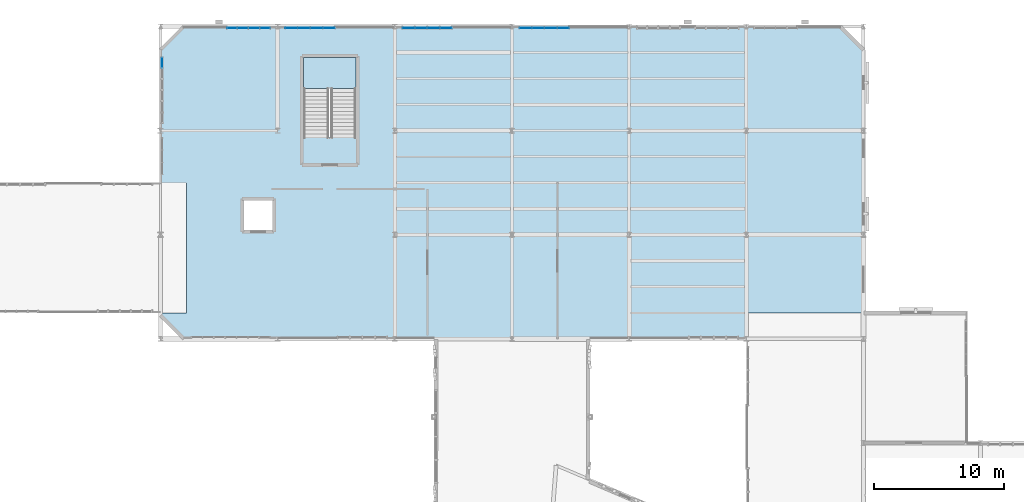
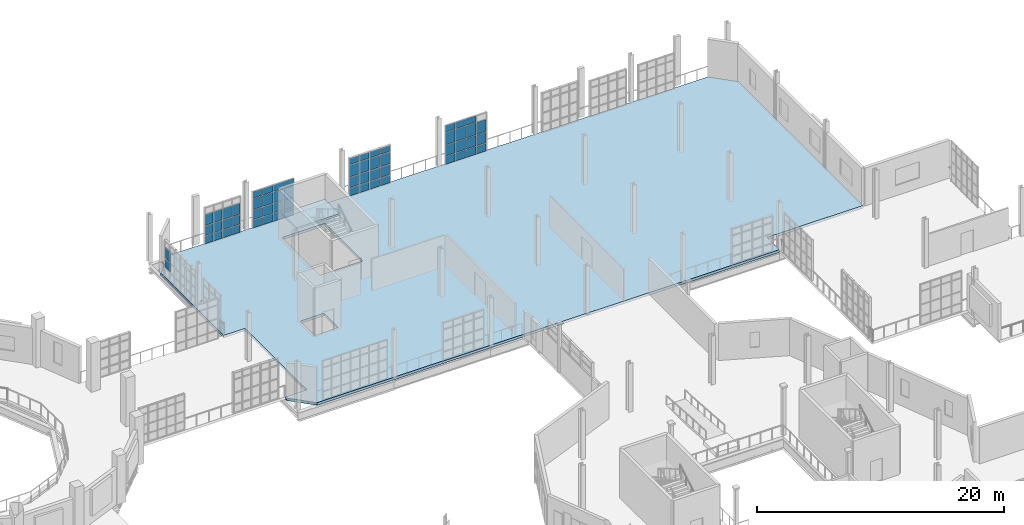
# One storey, part 89 of 122: 61 plates, 2 slabs, 6 elements without a shape of their own.
"""IFC4 building model written with IfcOpenShell, lengths in metres."""

from ifc_helpers import new_model, si_unit, direction, frame, origin, origin_2d, place, context, subcontext, project, spatial, polyline, rectangle, outline, extrude, material, layer, layer_set, type_object, element, aggregate, save


model = new_model("IFC4")

# Units and contexts
model_context = context("Model", 3, precision=1e-05, world=origin(), true_north=direction((0.0, 1.0)))
body_context = subcontext(model_context, "Body", "Model", "MODEL_VIEW")
ifc_project = project(units=[si_unit("LENGTHUNIT", "METRE"), si_unit("AREAUNIT", "SQUARE_METRE"), si_unit("VOLUMEUNIT", "CUBIC_METRE"), si_unit("PLANEANGLEUNIT", "RADIAN"), si_unit("MASSUNIT", "GRAM", prefix="KILO"), si_unit("THERMODYNAMICTEMPERATUREUNIT", "KELVIN"), si_unit("POWERUNIT", "WATT")], contexts=[model_context])

# Site, building, storey
site_placement = place(None, origin())
site = spatial("IfcSite", under=ifc_project, at=site_placement, CompositionType="ELEMENT")
building_placement = place(site_placement, origin())
building = spatial("IfcBuilding", under=site, at=building_placement, Name="Zelmaris Science Centre", CompositionType="ELEMENT")
storey_placement = place(building_placement, frame((0.0, 0.0, 10.800048828125)))
storey = spatial("IfcBuildingStorey", under=building, at=storey_placement, Name="L02", CompositionType="ELEMENT", Elevation=10.800048828125)

# Curtain wall, plates
ifc_material_1 = material(Name="Anodised architectural aluminium 6063-T6", Category="aluminium")
ifc_layer_1 = layer(ifc_material_1, 0.18994140625, Name="Anodised architectural aluminium 6063-T6")
ifc_layer_set_1 = layer_set([ifc_layer_1], Name="Anodised architectural aluminium 6063-T6")
curtain_wall_type_1 = type_object("IfcCurtainWallType", Name="Curtain Wall CW-01", PredefinedType="USERDEFINED", material=ifc_layer_set_1)
curtain_wall_1_placement = place(storey_placement, origin())
curtain_wall_1 = element("IfcCurtainWall", 1, at=curtain_wall_1_placement, inside=storey, type_object=curtain_wall_type_1, Name="L02 Unitised curtain wall 205", ObjectType="GLAZED CURTAIN WALL", PredefinedType="USERDEFINED")
ifc_material_2 = material(Name="Laminated hurricane-rated low-E insulated glazing", Category="glass")
ifc_layer_2 = layer(ifc_material_2, 0.031982421875, Name="Laminated hurricane-rated low-E insulated glazing")
ifc_layer_set_2 = layer_set([ifc_layer_2], Name="Laminated hurricane-rated low-E insulated glazing")
plate_type_1 = type_object("IfcPlateType", Name="Curtain Glazing Panel CWP-1 32mm", PredefinedType="CURTAIN_PANEL", material=ifc_layer_set_2)
plate_1_placement = place(storey_placement, frame((54.1201171875, 85.21533203125, 0.87109375), z_axis=(0.0, 0.0, 1.0), x_axis=(1.9531247e-05, 0.999999999809, 0.0)))
plate_1 = element("IfcPlate", 2, at=plate_1_placement, type_object=plate_type_1, Name="CW-01 panel 6.2", PredefinedType="CURTAIN_PANEL", context=body_context, shape_type="SweptSolid", body=[
    extrude(rectangle(XDim=0.745361328125, YDim=0.031982421875, at=origin_2d()), origin(), (0.0, 0.0, 1.0), 0.881103515625),
])
plate_2_placement = place(storey_placement, frame((54.1201171875, 85.21533203125, 1.82373046875), z_axis=(0.0, 0.0, 1.0), x_axis=(1.9531247e-05, 0.999999999809, 0.0)))
plate_2 = element("IfcPlate", 3, at=plate_2_placement, type_object=plate_type_1, Name="CW-01 panel 6.3", PredefinedType="CURTAIN_PANEL", context=body_context, shape_type="SweptSolid", body=[
    extrude(rectangle(XDim=0.745361328125, YDim=0.031982421875, at=origin_2d()), origin(), (0.0, 0.0, 1.0), 1.031005859375),
])
aggregate(curtain_wall_1, [plate_1, plate_2])

curtain_wall_2_placement = place(storey_placement, origin())
curtain_wall_2 = element("IfcCurtainWall", 4, at=curtain_wall_2_placement, inside=storey, type_object=curtain_wall_type_1, Name="L02 Unitised curtain wall 209", ObjectType="GLAZED CURTAIN WALL", PredefinedType="USERDEFINED")
plate_3_placement = place(storey_placement, frame((73.04541015625, 87.8798828125, 0.05712890625), z_axis=(0.0, 0.0, 1.0), x_axis=(1.0, 0.0, 0.0)))
plate_3 = element("IfcPlate", 5, at=plate_3_placement, type_object=plate_type_1, Name="CW-01 panel 1.1", PredefinedType="CURTAIN_PANEL", context=body_context, shape_type="SweptSolid", body=[
    extrude(rectangle(XDim=0.866943359375, YDim=0.031982421875, at=origin_2d()), origin(), (0.0, 0.0, 1.0), 0.741943359375),
])
plate_4_placement = place(storey_placement, frame((73.04541015625, 87.8798828125, 0.87109375), z_axis=(0.0, 0.0, 1.0), x_axis=(1.0, 0.0, 0.0)))
plate_4 = element("IfcPlate", 6, at=plate_4_placement, type_object=plate_type_1, Name="CW-01 panel 1.2", PredefinedType="CURTAIN_PANEL", context=body_context, shape_type="SweptSolid", body=[
    extrude(rectangle(XDim=0.866943359375, YDim=0.031982421875, at=origin_2d()), origin(), (0.0, 0.0, 1.0), 0.991455078125),
])
plate_5_placement = place(storey_placement, frame((73.04541015625, 87.8798828125, 1.934326171875), z_axis=(0.0, 0.0, 1.0), x_axis=(1.0, 0.0, 0.0)))
plate_5 = element("IfcPlate", 7, at=plate_5_placement, type_object=plate_type_1, Name="CW-01 panel 1.3", PredefinedType="CURTAIN_PANEL", context=body_context, shape_type="SweptSolid", body=[
    extrude(rectangle(XDim=0.866943359375, YDim=0.031982421875, at=origin_2d()), origin(), (0.0, 0.0, 1.0), 1.1416015625),
])
plate_6_placement = place(storey_placement, frame((73.04541015625, 87.8798828125, 3.14794921875), z_axis=(0.0, 0.0, 1.0), x_axis=(1.0, 0.0, 0.0)))
plate_6 = element("IfcPlate", 8, at=plate_6_placement, type_object=plate_type_1, Name="CW-01 panel 1.4", PredefinedType="CURTAIN_PANEL", context=body_context, shape_type="SweptSolid", body=[
    extrude(rectangle(XDim=0.866943359375, YDim=0.031982421875, at=origin_2d()), origin(), (0.0, 0.0, 1.0), 0.592041015625),
])
plate_7_placement = place(storey_placement, frame((74.00244140625, 87.8798828125, 0.05712890625), z_axis=(0.0, 0.0, 1.0), x_axis=(1.0, 0.0, 0.0)))
plate_7 = element("IfcPlate", 9, at=plate_7_placement, type_object=plate_type_1, Name="CW-01 panel 2.1", PredefinedType="CURTAIN_PANEL", context=body_context, shape_type="SweptSolid", body=[
    extrude(rectangle(XDim=0.903076171875, YDim=0.031982421875, at=origin_2d()), origin(), (0.0, 0.0, 1.0), 0.741943359375),
])
plate_8_placement = place(storey_placement, frame((74.00244140625, 87.8798828125, 0.87109375), z_axis=(0.0, 0.0, 1.0), x_axis=(1.0, 0.0, 0.0)))
plate_8 = element("IfcPlate", 10, at=plate_8_placement, type_object=plate_type_1, Name="CW-01 panel 2.2", PredefinedType="CURTAIN_PANEL", context=body_context, shape_type="SweptSolid", body=[
    extrude(rectangle(XDim=0.903076171875, YDim=0.031982421875, at=origin_2d()), origin(), (0.0, 0.0, 1.0), 0.991455078125),
])
plate_9_placement = place(storey_placement, frame((74.00244140625, 87.8798828125, 1.934326171875), z_axis=(0.0, 0.0, 1.0), x_axis=(1.0, 0.0, 0.0)))
plate_9 = element("IfcPlate", 11, at=plate_9_placement, type_object=plate_type_1, Name="CW-01 panel 2.3", PredefinedType="CURTAIN_PANEL", context=body_context, shape_type="SweptSolid", body=[
    extrude(rectangle(XDim=0.903076171875, YDim=0.031982421875, at=origin_2d()), origin(), (0.0, 0.0, 1.0), 1.1416015625),
])
plate_10_placement = place(storey_placement, frame((74.00244140625, 87.8798828125, 3.14794921875), z_axis=(0.0, 0.0, 1.0), x_axis=(1.0, 0.0, 0.0)))
plate_10 = element("IfcPlate", 12, at=plate_10_placement, type_object=plate_type_1, Name="CW-01 panel 2.4", PredefinedType="CURTAIN_PANEL", context=body_context, shape_type="SweptSolid", body=[
    extrude(rectangle(XDim=0.903076171875, YDim=0.031982421875, at=origin_2d()), origin(), (0.0, 0.0, 1.0), 0.592041015625),
])
plate_11_placement = place(storey_placement, frame((74.9775390625, 87.8798828125, 0.05712890625), z_axis=(0.0, 0.0, 1.0), x_axis=(1.0, 0.0, 0.0)))
plate_11 = element("IfcPlate", 13, at=plate_11_placement, type_object=plate_type_1, Name="CW-01 panel 3.1", PredefinedType="CURTAIN_PANEL", context=body_context, shape_type="SweptSolid", body=[
    extrude(rectangle(XDim=0.903076171875, YDim=0.031982421875, at=origin_2d()), origin(), (0.0, 0.0, 1.0), 0.741943359375),
])
plate_12_placement = place(storey_placement, frame((74.9775390625, 87.8798828125, 0.87109375), z_axis=(0.0, 0.0, 1.0), x_axis=(1.0, 0.0, 0.0)))
plate_12 = element("IfcPlate", 14, at=plate_12_placement, type_object=plate_type_1, Name="CW-01 panel 3.2", PredefinedType="CURTAIN_PANEL", context=body_context, shape_type="SweptSolid", body=[
    extrude(rectangle(XDim=0.903076171875, YDim=0.031982421875, at=origin_2d()), origin(), (0.0, 0.0, 1.0), 0.991455078125),
])
plate_13_placement = place(storey_placement, frame((74.9775390625, 87.8798828125, 1.934326171875), z_axis=(0.0, 0.0, 1.0), x_axis=(1.0, 0.0, 0.0)))
plate_13 = element("IfcPlate", 15, at=plate_13_placement, type_object=plate_type_1, Name="CW-01 panel 3.3", PredefinedType="CURTAIN_PANEL", context=body_context, shape_type="SweptSolid", body=[
    extrude(rectangle(XDim=0.903076171875, YDim=0.031982421875, at=origin_2d()), origin(), (0.0, 0.0, 1.0), 1.1416015625),
])
plate_14_placement = place(storey_placement, frame((74.9775390625, 87.8798828125, 3.14794921875), z_axis=(0.0, 0.0, 1.0), x_axis=(1.0, 0.0, 0.0)))
plate_14 = element("IfcPlate", 16, at=plate_14_placement, type_object=plate_type_1, Name="CW-01 panel 3.4", PredefinedType="CURTAIN_PANEL", context=body_context, shape_type="SweptSolid", body=[
    extrude(rectangle(XDim=0.903076171875, YDim=0.031982421875, at=origin_2d()), origin(), (0.0, 0.0, 1.0), 0.592041015625),
])
plate_15_placement = place(storey_placement, frame((75.9345703125, 87.8798828125, 0.05712890625), z_axis=(0.0, 0.0, 1.0), x_axis=(1.0, 0.0, 0.0)))
plate_15 = element("IfcPlate", 17, at=plate_15_placement, type_object=plate_type_1, Name="CW-01 panel 4.1", PredefinedType="CURTAIN_PANEL", context=body_context, shape_type="SweptSolid", body=[
    extrude(rectangle(XDim=0.866943359375, YDim=0.031982421875, at=origin_2d()), origin(), (0.0, 0.0, 1.0), 0.741943359375),
])
plate_16_placement = place(storey_placement, frame((75.9345703125, 87.8798828125, 0.87109375), z_axis=(0.0, 0.0, 1.0), x_axis=(1.0, 0.0, 0.0)))
plate_16 = element("IfcPlate", 18, at=plate_16_placement, type_object=plate_type_1, Name="CW-01 panel 4.2", PredefinedType="CURTAIN_PANEL", context=body_context, shape_type="SweptSolid", body=[
    extrude(rectangle(XDim=0.866943359375, YDim=0.031982421875, at=origin_2d()), origin(), (0.0, 0.0, 1.0), 0.991455078125),
])
plate_17_placement = place(storey_placement, frame((75.9345703125, 87.8798828125, 1.934326171875), z_axis=(0.0, 0.0, 1.0), x_axis=(1.0, 0.0, 0.0)))
plate_17 = element("IfcPlate", 19, at=plate_17_placement, type_object=plate_type_1, Name="CW-01 panel 4.3", PredefinedType="CURTAIN_PANEL", context=body_context, shape_type="SweptSolid", body=[
    extrude(rectangle(XDim=0.866943359375, YDim=0.031982421875, at=origin_2d()), origin(), (0.0, 0.0, 1.0), 1.1416015625),
])
plate_18_placement = place(storey_placement, frame((75.9345703125, 87.8798828125, 3.14794921875), z_axis=(0.0, 0.0, 1.0), x_axis=(1.0, 0.0, 0.0)))
plate_18 = element("IfcPlate", 20, at=plate_18_placement, type_object=plate_type_1, Name="CW-01 panel 4.4", PredefinedType="CURTAIN_PANEL", context=body_context, shape_type="SweptSolid", body=[
    extrude(rectangle(XDim=0.866943359375, YDim=0.031982421875, at=origin_2d()), origin(), (0.0, 0.0, 1.0), 0.592041015625),
])
aggregate(curtain_wall_2, [plate_3, plate_4, plate_5, plate_6, plate_7, plate_8, plate_9, plate_10, plate_11, plate_12, plate_13, plate_14, plate_15, plate_16, plate_17, plate_18])

ifc_layer_3 = layer(ifc_material_1, 0.199951171875, Name="Anodised architectural aluminium 6063-T6")
ifc_layer_set_3 = layer_set([ifc_layer_3], Name="Anodised architectural aluminium 6063-T6")
curtain_wall_type_2 = type_object("IfcCurtainWallType", Name="Curtain Wall CW-02", PredefinedType="USERDEFINED", material=ifc_layer_set_3)
curtain_wall_3_placement = place(storey_placement, origin())
curtain_wall_3 = element("IfcCurtainWall", 21, at=curtain_wall_3_placement, inside=storey, type_object=curtain_wall_type_2, Name="L02 Unitised curtain wall 206", ObjectType="GLAZED CURTAIN WALL", PredefinedType="USERDEFINED")
ifc_layer_4 = layer(ifc_material_2, 0.028076171875, Name="Laminated hurricane-rated low-E insulated glazing")
ifc_layer_set_4 = layer_set([ifc_layer_4], Name="Laminated hurricane-rated low-E insulated glazing")
plate_type_2 = type_object("IfcPlateType", Name="Curtain Glazing Panel CWP-2 28mm", PredefinedType="CURTAIN_PANEL", material=ifc_layer_set_4)
plate_19_placement = place(storey_placement, frame((59.484130859375, 87.8798828125, 0.052001953125), z_axis=(0.0, 0.0, 1.0), x_axis=(1.0, 0.0, 0.0)))
plate_19 = element("IfcPlate", 22, at=plate_19_placement, type_object=plate_type_2, Name="CW-02 panel 1.1", PredefinedType="CURTAIN_PANEL", context=body_context, shape_type="SweptSolid", body=[
    extrude(rectangle(XDim=0.75439453125, YDim=0.028076171875, at=origin_2d()), origin(), (0.0, 0.0, 1.0), 0.74951171875),
])
plate_20_placement = place(storey_placement, frame((59.484130859375, 87.8798828125, 0.8681640625), z_axis=(0.0, 0.0, 1.0), x_axis=(1.0, 0.0, 0.0)))
plate_20 = element("IfcPlate", 23, at=plate_20_placement, type_object=plate_type_2, Name="CW-02 panel 1.2", PredefinedType="CURTAIN_PANEL", context=body_context, shape_type="SweptSolid", body=[
    extrude(rectangle(XDim=0.75439453125, YDim=0.028076171875, at=origin_2d()), origin(), (0.0, 0.0, 1.0), 0.922607421875),
])
plate_21_placement = place(storey_placement, frame((59.484130859375, 87.8798828125, 1.85791015625), z_axis=(0.0, 0.0, 1.0), x_axis=(1.0, 0.0, 0.0)))
plate_21 = element("IfcPlate", 24, at=plate_21_placement, type_object=plate_type_2, Name="CW-02 panel 1.3", PredefinedType="CURTAIN_PANEL", context=body_context, shape_type="SweptSolid", body=[
    extrude(rectangle(XDim=0.75439453125, YDim=0.028076171875, at=origin_2d()), origin(), (0.0, 0.0, 1.0), 1.072509765625),
])
plate_22_placement = place(storey_placement, frame((60.322509765625, 87.8798828125, 0.052001953125), z_axis=(0.0, 0.0, 1.0), x_axis=(1.0, 0.0, 0.0)))
plate_22 = element("IfcPlate", 25, at=plate_22_placement, type_object=plate_type_2, Name="CW-02 panel 2.1", PredefinedType="CURTAIN_PANEL", context=body_context, shape_type="SweptSolid", body=[
    extrude(rectangle(XDim=0.7880859375, YDim=0.028076171875, at=origin_2d()), origin(), (0.0, 0.0, 1.0), 0.74951171875),
])
plate_23_placement = place(storey_placement, frame((60.322509765625, 87.8798828125, 0.8681640625), z_axis=(0.0, 0.0, 1.0), x_axis=(1.0, 0.0, 0.0)))
plate_23 = element("IfcPlate", 26, at=plate_23_placement, type_object=plate_type_2, Name="CW-02 panel 2.2", PredefinedType="CURTAIN_PANEL", context=body_context, shape_type="SweptSolid", body=[
    extrude(rectangle(XDim=0.7880859375, YDim=0.028076171875, at=origin_2d()), origin(), (0.0, 0.0, 1.0), 0.922607421875),
])
plate_24_placement = place(storey_placement, frame((60.322509765625, 87.8798828125, 1.85791015625), z_axis=(0.0, 0.0, 1.0), x_axis=(1.0, 0.0, 0.0)))
plate_24 = element("IfcPlate", 27, at=plate_24_placement, type_object=plate_type_2, Name="CW-02 panel 2.3", PredefinedType="CURTAIN_PANEL", context=body_context, shape_type="SweptSolid", body=[
    extrude(rectangle(XDim=0.7880859375, YDim=0.028076171875, at=origin_2d()), origin(), (0.0, 0.0, 1.0), 1.072509765625),
])
plate_25_placement = place(storey_placement, frame((61.177490234375, 87.8798828125, 0.052001953125), z_axis=(0.0, 0.0, 1.0), x_axis=(1.0, 0.0, 0.0)))
plate_25 = element("IfcPlate", 28, at=plate_25_placement, type_object=plate_type_2, Name="CW-02 panel 3.1", PredefinedType="CURTAIN_PANEL", context=body_context, shape_type="SweptSolid", body=[
    extrude(rectangle(XDim=0.7880859375, YDim=0.028076171875, at=origin_2d()), origin(), (0.0, 0.0, 1.0), 0.74951171875),
])
plate_26_placement = place(storey_placement, frame((61.177490234375, 87.8798828125, 0.8681640625), z_axis=(0.0, 0.0, 1.0), x_axis=(1.0, 0.0, 0.0)))
plate_26 = element("IfcPlate", 29, at=plate_26_placement, type_object=plate_type_2, Name="CW-02 panel 3.2", PredefinedType="CURTAIN_PANEL", context=body_context, shape_type="SweptSolid", body=[
    extrude(rectangle(XDim=0.7880859375, YDim=0.028076171875, at=origin_2d()), origin(), (0.0, 0.0, 1.0), 0.922607421875),
])
plate_27_placement = place(storey_placement, frame((61.177490234375, 87.8798828125, 1.85791015625), z_axis=(0.0, 0.0, 1.0), x_axis=(1.0, 0.0, 0.0)))
plate_27 = element("IfcPlate", 30, at=plate_27_placement, type_object=plate_type_2, Name="CW-02 panel 3.3", PredefinedType="CURTAIN_PANEL", context=body_context, shape_type="SweptSolid", body=[
    extrude(rectangle(XDim=0.7880859375, YDim=0.028076171875, at=origin_2d()), origin(), (0.0, 0.0, 1.0), 1.072509765625),
])
plate_28_placement = place(storey_placement, frame((62.015869140625, 87.8798828125, 0.052001953125), z_axis=(0.0, 0.0, 1.0), x_axis=(1.0, 0.0, 0.0)))
plate_28 = element("IfcPlate", 31, at=plate_28_placement, type_object=plate_type_2, Name="CW-02 panel 4.1", PredefinedType="CURTAIN_PANEL", context=body_context, shape_type="SweptSolid", body=[
    extrude(rectangle(XDim=0.75439453125, YDim=0.028076171875, at=origin_2d()), origin(), (0.0, 0.0, 1.0), 0.74951171875),
])
plate_29_placement = place(storey_placement, frame((62.015869140625, 87.8798828125, 0.8681640625), z_axis=(0.0, 0.0, 1.0), x_axis=(1.0, 0.0, 0.0)))
plate_29 = element("IfcPlate", 32, at=plate_29_placement, type_object=plate_type_2, Name="CW-02 panel 4.2", PredefinedType="CURTAIN_PANEL", context=body_context, shape_type="SweptSolid", body=[
    extrude(rectangle(XDim=0.75439453125, YDim=0.028076171875, at=origin_2d()), origin(), (0.0, 0.0, 1.0), 0.922607421875),
])
plate_30_placement = place(storey_placement, frame((62.015869140625, 87.8798828125, 1.85791015625), z_axis=(0.0, 0.0, 1.0), x_axis=(1.0, 0.0, 0.0)))
plate_30 = element("IfcPlate", 33, at=plate_30_placement, type_object=plate_type_2, Name="CW-02 panel 4.3", PredefinedType="CURTAIN_PANEL", context=body_context, shape_type="SweptSolid", body=[
    extrude(rectangle(XDim=0.75439453125, YDim=0.028076171875, at=origin_2d()), origin(), (0.0, 0.0, 1.0), 1.072509765625),
])
aggregate(curtain_wall_3, [plate_19, plate_20, plate_21, plate_22, plate_23, plate_24, plate_25, plate_26, plate_27, plate_28, plate_29, plate_30])

ifc_layer_5 = layer(ifc_material_1, 0.2099609375, Name="Anodised architectural aluminium 6063-T6")
ifc_layer_set_5 = layer_set([ifc_layer_5], Name="Anodised architectural aluminium 6063-T6")
curtain_wall_type_3 = type_object("IfcCurtainWallType", Name="Curtain Wall CW-03", PredefinedType="USERDEFINED", material=ifc_layer_set_5)
curtain_wall_4_placement = place(storey_placement, origin())
curtain_wall_4 = element("IfcCurtainWall", 34, at=curtain_wall_4_placement, inside=storey, type_object=curtain_wall_type_3, Name="L02 Unitised curtain wall 207", ObjectType="GLAZED CURTAIN WALL", PredefinedType="USERDEFINED")
ifc_layer_6 = layer(ifc_material_2, 0.02587890625, Name="Laminated hurricane-rated low-E insulated glazing")
ifc_layer_set_6 = layer_set([ifc_layer_6], Name="Laminated hurricane-rated low-E insulated glazing")
plate_type_3 = type_object("IfcPlateType", Name="Curtain Glazing Panel CWP-3 26mm", PredefinedType="CURTAIN_PANEL", material=ifc_layer_set_6)
plate_31_placement = place(storey_placement, frame((64.041748046875, 87.8798828125, 0.0419921875), z_axis=(0.0, 0.0, 1.0), x_axis=(1.0, 0.0, 0.0)))
plate_31 = element("IfcPlate", 35, at=plate_31_placement, type_object=plate_type_3, Name="CW-03 panel 1.1", PredefinedType="CURTAIN_PANEL", context=body_context, shape_type="SweptSolid", body=[
    extrude(rectangle(XDim=0.889404296875, YDim=0.02587890625, at=origin_2d()), origin(), (0.0, 0.0, 1.0), 0.764404296875),
])
plate_32_placement = place(storey_placement, frame((64.041748046875, 87.8798828125, 0.86328125), z_axis=(0.0, 0.0, 1.0), x_axis=(1.0, 0.0, 0.0)))
plate_32 = element("IfcPlate", 36, at=plate_32_placement, type_object=plate_type_3, Name="CW-03 panel 1.2", PredefinedType="CURTAIN_PANEL", context=body_context, shape_type="SweptSolid", body=[
    extrude(rectangle(XDim=0.889404296875, YDim=0.02587890625, at=origin_2d()), origin(), (0.0, 0.0, 1.0), 0.9326171875),
])
plate_33_placement = place(storey_placement, frame((64.041748046875, 87.8798828125, 1.85302734375), z_axis=(0.0, 0.0, 1.0), x_axis=(1.0, 0.0, 0.0)))
plate_33 = element("IfcPlate", 37, at=plate_33_placement, type_object=plate_type_3, Name="CW-03 panel 1.3", PredefinedType="CURTAIN_PANEL", context=body_context, shape_type="SweptSolid", body=[
    extrude(rectangle(XDim=0.889404296875, YDim=0.02587890625, at=origin_2d()), origin(), (0.0, 0.0, 1.0), 1.08251953125),
])
plate_34_placement = place(storey_placement, frame((64.041748046875, 87.8798828125, 2.99267578125), z_axis=(0.0, 0.0, 1.0), x_axis=(1.0, 0.0, 0.0)))
plate_34 = element("IfcPlate", 38, at=plate_34_placement, type_object=plate_type_3, Name="CW-03 panel 1.4", PredefinedType="CURTAIN_PANEL", context=body_context, shape_type="SweptSolid", body=[
    extrude(rectangle(XDim=0.889404296875, YDim=0.02587890625, at=origin_2d()), origin(), (0.0, 0.0, 1.0), 0.614501953125),
])
plate_35_placement = place(storey_placement, frame((65.00244140625, 87.8798828125, 0.0419921875), z_axis=(0.0, 0.0, 1.0), x_axis=(1.0, 0.0, 0.0)))
plate_35 = element("IfcPlate", 39, at=plate_35_placement, type_object=plate_type_3, Name="CW-03 panel 2.1", PredefinedType="CURTAIN_PANEL", context=body_context, shape_type="SweptSolid", body=[
    extrude(rectangle(XDim=0.91796875, YDim=0.02587890625, at=origin_2d()), origin(), (0.0, 0.0, 1.0), 0.764404296875),
])
plate_36_placement = place(storey_placement, frame((65.00244140625, 87.8798828125, 0.86328125), z_axis=(0.0, 0.0, 1.0), x_axis=(1.0, 0.0, 0.0)))
plate_36 = element("IfcPlate", 40, at=plate_36_placement, type_object=plate_type_3, Name="CW-03 panel 2.2", PredefinedType="CURTAIN_PANEL", context=body_context, shape_type="SweptSolid", body=[
    extrude(rectangle(XDim=0.91796875, YDim=0.02587890625, at=origin_2d()), origin(), (0.0, 0.0, 1.0), 0.9326171875),
])
plate_37_placement = place(storey_placement, frame((65.00244140625, 87.8798828125, 1.85302734375), z_axis=(0.0, 0.0, 1.0), x_axis=(1.0, 0.0, 0.0)))
plate_37 = element("IfcPlate", 41, at=plate_37_placement, type_object=plate_type_3, Name="CW-03 panel 2.3", PredefinedType="CURTAIN_PANEL", context=body_context, shape_type="SweptSolid", body=[
    extrude(rectangle(XDim=0.91796875, YDim=0.02587890625, at=origin_2d()), origin(), (0.0, 0.0, 1.0), 1.08251953125),
])
plate_38_placement = place(storey_placement, frame((65.00244140625, 87.8798828125, 2.99267578125), z_axis=(0.0, 0.0, 1.0), x_axis=(1.0, 0.0, 0.0)))
plate_38 = element("IfcPlate", 42, at=plate_38_placement, type_object=plate_type_3, Name="CW-03 panel 2.4", PredefinedType="CURTAIN_PANEL", context=body_context, shape_type="SweptSolid", body=[
    extrude(rectangle(XDim=0.91796875, YDim=0.02587890625, at=origin_2d()), origin(), (0.0, 0.0, 1.0), 0.614501953125),
])
plate_39_placement = place(storey_placement, frame((65.9775390625, 87.8798828125, 0.0419921875), z_axis=(0.0, 0.0, 1.0), x_axis=(1.0, 0.0, 0.0)))
plate_39 = element("IfcPlate", 43, at=plate_39_placement, type_object=plate_type_3, Name="CW-03 panel 3.1", PredefinedType="CURTAIN_PANEL", context=body_context, shape_type="SweptSolid", body=[
    extrude(rectangle(XDim=0.91796875, YDim=0.02587890625, at=origin_2d()), origin(), (0.0, 0.0, 1.0), 0.764404296875),
])
plate_40_placement = place(storey_placement, frame((65.9775390625, 87.8798828125, 0.86328125), z_axis=(0.0, 0.0, 1.0), x_axis=(1.0, 0.0, 0.0)))
plate_40 = element("IfcPlate", 44, at=plate_40_placement, type_object=plate_type_3, Name="CW-03 panel 3.2", PredefinedType="CURTAIN_PANEL", context=body_context, shape_type="SweptSolid", body=[
    extrude(rectangle(XDim=0.91796875, YDim=0.02587890625, at=origin_2d()), origin(), (0.0, 0.0, 1.0), 0.9326171875),
])
plate_41_placement = place(storey_placement, frame((65.9775390625, 87.8798828125, 1.85302734375), z_axis=(0.0, 0.0, 1.0), x_axis=(1.0, 0.0, 0.0)))
plate_41 = element("IfcPlate", 45, at=plate_41_placement, type_object=plate_type_3, Name="CW-03 panel 3.3", PredefinedType="CURTAIN_PANEL", context=body_context, shape_type="SweptSolid", body=[
    extrude(rectangle(XDim=0.91796875, YDim=0.02587890625, at=origin_2d()), origin(), (0.0, 0.0, 1.0), 1.08251953125),
])
plate_42_placement = place(storey_placement, frame((65.9775390625, 87.8798828125, 2.99267578125), z_axis=(0.0, 0.0, 1.0), x_axis=(1.0, 0.0, 0.0)))
plate_42 = element("IfcPlate", 46, at=plate_42_placement, type_object=plate_type_3, Name="CW-03 panel 3.4", PredefinedType="CURTAIN_PANEL", context=body_context, shape_type="SweptSolid", body=[
    extrude(rectangle(XDim=0.91796875, YDim=0.02587890625, at=origin_2d()), origin(), (0.0, 0.0, 1.0), 0.614501953125),
])
plate_43_placement = place(storey_placement, frame((66.938232421875, 87.8798828125, 0.0419921875), z_axis=(0.0, 0.0, 1.0), x_axis=(1.0, 0.0, 0.0)))
plate_43 = element("IfcPlate", 47, at=plate_43_placement, type_object=plate_type_3, Name="CW-03 panel 4.1", PredefinedType="CURTAIN_PANEL", context=body_context, shape_type="SweptSolid", body=[
    extrude(rectangle(XDim=0.889404296875, YDim=0.02587890625, at=origin_2d()), origin(), (0.0, 0.0, 1.0), 0.764404296875),
])
plate_44_placement = place(storey_placement, frame((66.938232421875, 87.8798828125, 0.86328125), z_axis=(0.0, 0.0, 1.0), x_axis=(1.0, 0.0, 0.0)))
plate_44 = element("IfcPlate", 48, at=plate_44_placement, type_object=plate_type_3, Name="CW-03 panel 4.2", PredefinedType="CURTAIN_PANEL", context=body_context, shape_type="SweptSolid", body=[
    extrude(rectangle(XDim=0.889404296875, YDim=0.02587890625, at=origin_2d()), origin(), (0.0, 0.0, 1.0), 0.9326171875),
])
plate_45_placement = place(storey_placement, frame((66.938232421875, 87.8798828125, 1.85302734375), z_axis=(0.0, 0.0, 1.0), x_axis=(1.0, 0.0, 0.0)))
plate_45 = element("IfcPlate", 49, at=plate_45_placement, type_object=plate_type_3, Name="CW-03 panel 4.3", PredefinedType="CURTAIN_PANEL", context=body_context, shape_type="SweptSolid", body=[
    extrude(rectangle(XDim=0.889404296875, YDim=0.02587890625, at=origin_2d()), origin(), (0.0, 0.0, 1.0), 1.08251953125),
])
plate_46_placement = place(storey_placement, frame((66.938232421875, 87.8798828125, 2.99267578125), z_axis=(0.0, 0.0, 1.0), x_axis=(1.0, 0.0, 0.0)))
plate_46 = element("IfcPlate", 50, at=plate_46_placement, type_object=plate_type_3, Name="CW-03 panel 4.4", PredefinedType="CURTAIN_PANEL", context=body_context, shape_type="SweptSolid", body=[
    extrude(rectangle(XDim=0.889404296875, YDim=0.02587890625, at=origin_2d()), origin(), (0.0, 0.0, 1.0), 0.614501953125),
])
aggregate(curtain_wall_4, [plate_31, plate_32, plate_33, plate_34, plate_35, plate_36, plate_37, plate_38, plate_39, plate_40, plate_41, plate_42, plate_43, plate_44, plate_45, plate_46])

curtain_wall_5_placement = place(storey_placement, origin())
curtain_wall_5 = element("IfcCurtainWall", 51, at=curtain_wall_5_placement, inside=storey, type_object=curtain_wall_type_3, Name="L02 Unitised curtain wall 211", ObjectType="GLAZED CURTAIN WALL", PredefinedType="USERDEFINED")
plate_47_placement = place(storey_placement, frame((82.041748046875, 87.8798828125, 0.0419921875), z_axis=(0.0, 0.0, 1.0), x_axis=(1.0, 0.0, 0.0)))
plate_47 = element("IfcPlate", 52, at=plate_47_placement, type_object=plate_type_3, Name="CW-03 panel 1.1", PredefinedType="CURTAIN_PANEL", context=body_context, shape_type="SweptSolid", body=[
    extrude(rectangle(XDim=0.889404296875, YDim=0.02587890625, at=origin_2d()), origin(), (0.0, 0.0, 1.0), 0.764404296875),
])
plate_48_placement = place(storey_placement, frame((82.041748046875, 87.8798828125, 0.86328125), z_axis=(0.0, 0.0, 1.0), x_axis=(1.0, 0.0, 0.0)))
plate_48 = element("IfcPlate", 53, at=plate_48_placement, type_object=plate_type_3, Name="CW-03 panel 1.2", PredefinedType="CURTAIN_PANEL", context=body_context, shape_type="SweptSolid", body=[
    extrude(rectangle(XDim=0.889404296875, YDim=0.02587890625, at=origin_2d()), origin(), (0.0, 0.0, 1.0), 1.047119140625),
])
plate_49_placement = place(storey_placement, frame((82.041748046875, 87.8798828125, 1.96728515625), z_axis=(0.0, 0.0, 1.0), x_axis=(1.0, 0.0, 0.0)))
plate_49 = element("IfcPlate", 54, at=plate_49_placement, type_object=plate_type_3, Name="CW-03 panel 1.3", PredefinedType="CURTAIN_PANEL", context=body_context, shape_type="SweptSolid", body=[
    extrude(rectangle(XDim=0.889404296875, YDim=0.02587890625, at=origin_2d()), origin(), (0.0, 0.0, 1.0), 1.197021484375),
])
plate_50_placement = place(storey_placement, frame((82.041748046875, 87.8798828125, 3.2216796875), z_axis=(0.0, 0.0, 1.0), x_axis=(1.0, 0.0, 0.0)))
plate_50 = element("IfcPlate", 55, at=plate_50_placement, type_object=plate_type_3, Name="CW-03 panel 1.4", PredefinedType="CURTAIN_PANEL", context=body_context, shape_type="SweptSolid", body=[
    extrude(rectangle(XDim=0.889404296875, YDim=0.02587890625, at=origin_2d()), origin(), (0.0, 0.0, 1.0), 0.614501953125),
])
plate_51_placement = place(storey_placement, frame((83.00244140625, 87.8798828125, 0.0419921875), z_axis=(0.0, 0.0, 1.0), x_axis=(1.0, 0.0, 0.0)))
plate_51 = element("IfcPlate", 56, at=plate_51_placement, type_object=plate_type_3, Name="CW-03 panel 2.1", PredefinedType="CURTAIN_PANEL", context=body_context, shape_type="SweptSolid", body=[
    extrude(rectangle(XDim=0.91796875, YDim=0.02587890625, at=origin_2d()), origin(), (0.0, 0.0, 1.0), 0.764404296875),
])
plate_52_placement = place(storey_placement, frame((83.00244140625, 87.8798828125, 0.86328125), z_axis=(0.0, 0.0, 1.0), x_axis=(1.0, 0.0, 0.0)))
plate_52 = element("IfcPlate", 57, at=plate_52_placement, type_object=plate_type_3, Name="CW-03 panel 2.2", PredefinedType="CURTAIN_PANEL", context=body_context, shape_type="SweptSolid", body=[
    extrude(rectangle(XDim=0.91796875, YDim=0.02587890625, at=origin_2d()), origin(), (0.0, 0.0, 1.0), 1.047119140625),
])
plate_53_placement = place(storey_placement, frame((83.00244140625, 87.8798828125, 1.96728515625), z_axis=(0.0, 0.0, 1.0), x_axis=(1.0, 0.0, 0.0)))
plate_53 = element("IfcPlate", 58, at=plate_53_placement, type_object=plate_type_3, Name="CW-03 panel 2.3", PredefinedType="CURTAIN_PANEL", context=body_context, shape_type="SweptSolid", body=[
    extrude(rectangle(XDim=0.91796875, YDim=0.02587890625, at=origin_2d()), origin(), (0.0, 0.0, 1.0), 1.197021484375),
])
plate_54_placement = place(storey_placement, frame((83.00244140625, 87.8798828125, 3.2216796875), z_axis=(0.0, 0.0, 1.0), x_axis=(1.0, 0.0, 0.0)))
plate_54 = element("IfcPlate", 59, at=plate_54_placement, type_object=plate_type_3, Name="CW-03 panel 2.4", PredefinedType="CURTAIN_PANEL", context=body_context, shape_type="SweptSolid", body=[
    extrude(rectangle(XDim=0.91796875, YDim=0.02587890625, at=origin_2d()), origin(), (0.0, 0.0, 1.0), 0.614501953125),
])
plate_55_placement = place(storey_placement, frame((83.9775390625, 87.8798828125, 0.0419921875), z_axis=(0.0, 0.0, 1.0), x_axis=(1.0, 0.0, 0.0)))
plate_55 = element("IfcPlate", 60, at=plate_55_placement, type_object=plate_type_3, Name="CW-03 panel 3.1", PredefinedType="CURTAIN_PANEL", context=body_context, shape_type="SweptSolid", body=[
    extrude(rectangle(XDim=0.91796875, YDim=0.02587890625, at=origin_2d()), origin(), (0.0, 0.0, 1.0), 0.764404296875),
])
plate_56_placement = place(storey_placement, frame((83.9775390625, 87.8798828125, 0.86328125), z_axis=(0.0, 0.0, 1.0), x_axis=(1.0, 0.0, 0.0)))
plate_56 = element("IfcPlate", 61, at=plate_56_placement, type_object=plate_type_3, Name="CW-03 panel 3.2", PredefinedType="CURTAIN_PANEL", context=body_context, shape_type="SweptSolid", body=[
    extrude(rectangle(XDim=0.91796875, YDim=0.02587890625, at=origin_2d()), origin(), (0.0, 0.0, 1.0), 1.047119140625),
])
plate_57_placement = place(storey_placement, frame((83.9775390625, 87.8798828125, 1.96728515625), z_axis=(0.0, 0.0, 1.0), x_axis=(1.0, 0.0, 0.0)))
plate_57 = element("IfcPlate", 62, at=plate_57_placement, type_object=plate_type_3, Name="CW-03 panel 3.3", PredefinedType="CURTAIN_PANEL", context=body_context, shape_type="SweptSolid", body=[
    extrude(rectangle(XDim=0.91796875, YDim=0.02587890625, at=origin_2d()), origin(), (0.0, 0.0, 1.0), 1.197021484375),
])
plate_58_placement = place(storey_placement, frame((83.9775390625, 87.8798828125, 3.2216796875), z_axis=(0.0, 0.0, 1.0), x_axis=(1.0, 0.0, 0.0)))
plate_58 = element("IfcPlate", 63, at=plate_58_placement, type_object=plate_type_3, Name="CW-03 panel 3.4", PredefinedType="CURTAIN_PANEL", context=body_context, shape_type="SweptSolid", body=[
    extrude(rectangle(XDim=0.91796875, YDim=0.02587890625, at=origin_2d()), origin(), (0.0, 0.0, 1.0), 0.614501953125),
])
plate_59_placement = place(storey_placement, frame((84.938232421875, 87.8798828125, 0.0419921875), z_axis=(0.0, 0.0, 1.0), x_axis=(1.0, 0.0, 0.0)))
plate_59 = element("IfcPlate", 64, at=plate_59_placement, type_object=plate_type_3, Name="CW-03 panel 4.1", PredefinedType="CURTAIN_PANEL", context=body_context, shape_type="SweptSolid", body=[
    extrude(rectangle(XDim=0.889404296875, YDim=0.02587890625, at=origin_2d()), origin(), (0.0, 0.0, 1.0), 0.764404296875),
])
plate_60_placement = place(storey_placement, frame((84.938232421875, 87.8798828125, 0.86328125), z_axis=(0.0, 0.0, 1.0), x_axis=(1.0, 0.0, 0.0)))
plate_60 = element("IfcPlate", 65, at=plate_60_placement, type_object=plate_type_3, Name="CW-03 panel 4.2", PredefinedType="CURTAIN_PANEL", context=body_context, shape_type="SweptSolid", body=[
    extrude(rectangle(XDim=0.889404296875, YDim=0.02587890625, at=origin_2d()), origin(), (0.0, 0.0, 1.0), 1.047119140625),
])
plate_61_placement = place(storey_placement, frame((84.938232421875, 87.8798828125, 1.96728515625), z_axis=(0.0, 0.0, 1.0), x_axis=(1.0, 0.0, 0.0)))
plate_61 = element("IfcPlate", 66, at=plate_61_placement, type_object=plate_type_3, Name="CW-03 panel 4.3", PredefinedType="CURTAIN_PANEL", context=body_context, shape_type="SweptSolid", body=[
    extrude(rectangle(XDim=0.889404296875, YDim=0.02587890625, at=origin_2d()), origin(), (0.0, 0.0, 1.0), 1.197021484375),
])
aggregate(curtain_wall_5, [plate_47, plate_48, plate_49, plate_50, plate_51, plate_52, plate_53, plate_54, plate_55, plate_56, plate_57, plate_58, plate_59, plate_60, plate_61])

# Slab
ifc_material_3 = material(Name="Concrete C35/45", Category="concrete")
ifc_layer_7 = layer(ifc_material_3, 0.260009765625, Name="Concrete C35/45")
ifc_layer_set_7 = layer_set([ifc_layer_7], Name="Concrete C35/45")
slab_type_1 = type_object("IfcSlabType", Name="Slab SL-FL260 260mm", PredefinedType="FLOOR", material=ifc_layer_set_7)
slab_1_placement = place(storey_placement, frame((0.0, 0.0, -0.260009765625)))
element("IfcSlab", 67, at=slab_1_placement, inside=storey, type_object=slab_type_1, Name="L02 Observatory wing floor slab", PredefinedType="FLOOR", context=body_context, shape_type="SweptSolid", body=[
    extrude(outline(polyline([(55.800048828125, 64.0), (54.0, 65.800048828125), (54.0, 66.00390625), (55.99609375, 66.00390625), (55.99609375, 75.99609375), (54.0, 75.99609375), (54.0, 86.199951171875), (55.800048828125, 88.0), (106.199951171875, 88.0), (108.0, 86.199951171875), (108.0, 65.99609375), (99.00390625, 65.99609375), (99.00390625, 64.0), (55.800048828125, 64.0)]), holes=[polyline([(69.0, 79.469970703125), (69.0, 85.60009765625), (65.0, 85.60009765625), (65.0, 79.469970703125), (69.0, 79.469970703125)]), polyline([(60.39990234375, 72.35009765625), (62.60009765625, 72.35009765625), (62.60009765625, 74.64990234375), (60.39990234375, 74.64990234375), (60.39990234375, 72.35009765625)])]), origin(), (0.0, 0.0, 1.0), 0.260009765625),
])

# Stair, slab
ifc_material_4 = material(Name="Concrete C40/50", Category="concrete")
stair_type = type_object("IfcStairType", Name="Exit Stair ST-B W1900", PredefinedType="HALF_TURN_STAIR", material=ifc_material_4)
stair_placement = place(storey_placement, origin())
stair = element("IfcStair", 68, at=stair_placement, inside=storey, type_object=stair_type, Name="L02 Exit Stair Core ST-3", PredefinedType="HALF_TURN_STAIR")
ifc_layer_8 = layer(ifc_material_3, 0.18994140625, Name="Concrete C35/45")
ifc_layer_set_8 = layer_set([ifc_layer_8], Name="Concrete C35/45")
slab_type_2 = type_object("IfcSlabType", Name="Slab SL-LD190 190mm", PredefinedType="LANDING", material=ifc_layer_set_8)
slab_2_placement = place(storey_placement, frame((0.0, 0.0, 2.2099609375)))
slab_2 = element("IfcSlab", 69, at=slab_2_placement, type_object=slab_type_2, Name="ST-3 landing 1", PredefinedType="LANDING", context=body_context, shape_type="SweptSolid", body=[
    extrude(outline(polyline([(69.0, 83.219970703125), (69.0, 85.60009765625), (65.0, 85.60009765625), (65.0, 83.219970703125), (69.0, 83.219970703125)])), origin(), (0.0, 0.0, 1.0), 0.18994140625),
])
aggregate(stair, [slab_2])

save(model, "model.ifc")
